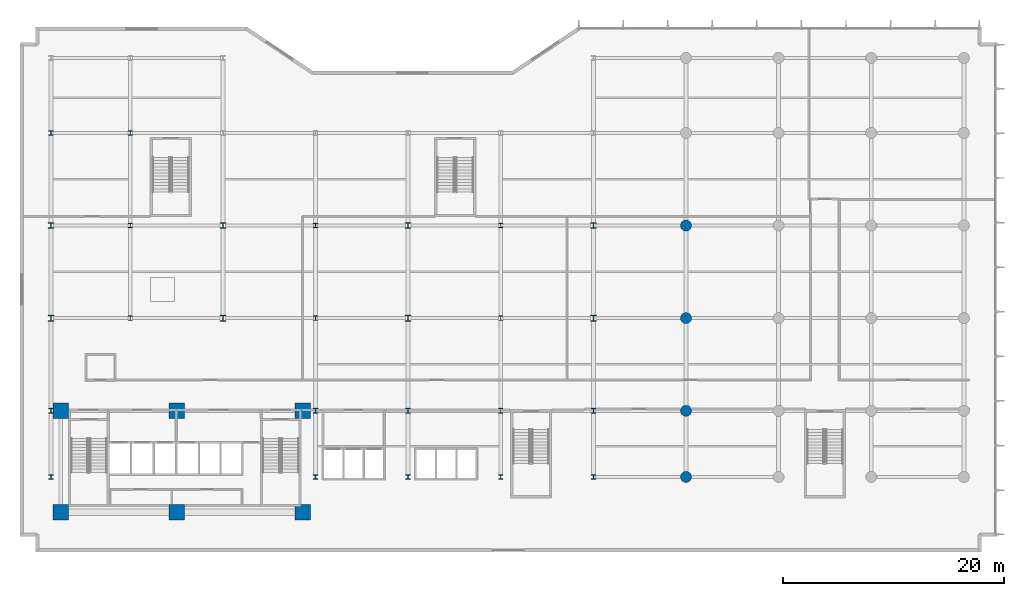
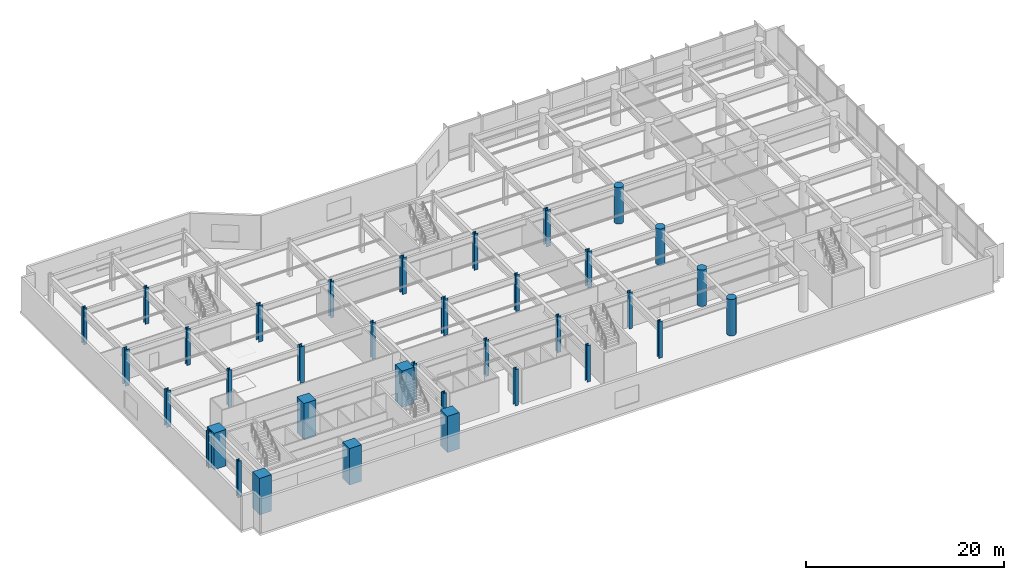
# One storey, part 1 of 26: 36 columns.
"""IFC4 building model written with IfcOpenShell, lengths in metres."""

from ifc_helpers import new_model, si_unit, direction, frame, origin, origin_2d, place, context, subcontext, project, spatial, rectangle, circle, i_section, extrude, material, material_profile, profile_set, type_object, element, save


model = new_model("IFC4")

# Units and contexts
model_context = context("Model", 3, precision=1e-05, world=origin(), true_north=direction((0.0, 1.0)))
body_context = subcontext(model_context, "Body", "Model", "MODEL_VIEW")
ifc_project = project(units=[si_unit("LENGTHUNIT", "METRE"), si_unit("AREAUNIT", "SQUARE_METRE"), si_unit("VOLUMEUNIT", "CUBIC_METRE"), si_unit("PLANEANGLEUNIT", "RADIAN"), si_unit("MASSUNIT", "GRAM", prefix="KILO")], contexts=[model_context])

# Site, building, storey
site_placement = place(None, origin())
site = spatial("IfcSite", under=ifc_project, at=site_placement, CompositionType="ELEMENT")
building_placement = place(site_placement, origin())
building = spatial("IfcBuilding", under=site, at=building_placement, Name="Varnakote Quay Hospital", CompositionType="ELEMENT")
storey_placement = place(building_placement, frame((0.0, 0.0, 13.5)))
storey = spatial("IfcBuildingStorey", under=building, at=storey_placement, Name="L03", CompositionType="ELEMENT", Elevation=13.5)

# Columns
ifc_material_1 = material(Name="Concrete N80 (f'c 80 MPa)", Category="concrete")
ifc_material_profile_1 = material_profile(ifc_material_1, rectangle(XDim=1.39990234375, YDim=1.39990234375, at=origin_2d()), Name="RC-COL-1400x1400")
ifc_profile_set_1 = profile_set([ifc_material_profile_1], Name="Concrete N80 (f'c 80 MPa)")
column_type_1 = type_object("IfcColumnType", Name="COL-RC-1400", PredefinedType="COLUMN", material=ifc_profile_set_1)
for number, where, z_axis, x_axis, name in (
    (1, (2.10009765625, 2.800048828125, 0.0), (0.0, 0.0, 1.0), (1.0, 0.0, 0.0), "L03 Structural Column C-2-3"),
    (2, (12.6201171875, 2.800048828125, 0.0), (0.0, 0.0, 1.0), (1.0, 0.0, 0.0), "L03 Structural Column C-13-3"),
    (3, (24.050048828125, 2.800048828125, 0.0), (0.0, 0.0, 1.0), (1.0, 0.0, 0.0), "L03 Structural Column C-24-3"),
    (4, (2.10009765625, 12.0, 0.0), (0.0, 0.0, 1.0), (1.0, 0.0, 0.0), "L03 Structural Column C-2-12"),
    (5, (12.6201171875, 12.0, 0.0), (0.0, 0.0, 1.0), (1.0, 0.0, 0.0), "L03 Structural Column C-13-12"),
    (6, (24.050048828125, 12.0, 0.0), (0.0, 0.0, 1.0), (1.0, 0.0, 0.0), "L03 Structural Column C-24-12"),
):
    element("IfcColumn", number, at=place(storey_placement, frame(where, z_axis=z_axis, x_axis=x_axis)), inside=storey, type_object=column_type_1, Name=name, PredefinedType="COLUMN", context=body_context, shape_type="SweptSolid", body=[
        extrude(rectangle(XDim=1.39990234375, YDim=1.39990234375, at=origin_2d()), origin(), (0.0, 0.0, 1.0), 4.5),
    ])
ifc_material_2 = material(Name="Concrete N65 (f'c 65 MPa)", Category="concrete")
ifc_material_profile_2 = material_profile(ifc_material_2, circle(Radius=0.5, at=origin_2d()), Name="RC-COL-D1000")
ifc_profile_set_2 = profile_set([ifc_material_profile_2], Name="Concrete N65 (f'c 65 MPa)")
column_type_2 = type_object("IfcColumnType", Name="COL-RC-D1000", PredefinedType="COLUMN", material=ifc_profile_set_2)
for number, where, z_axis, x_axis, name in (
    (7, (58.800048828125, 6.0, 0.0), (0.0, 0.0, 1.0), (1.0, 0.0, 0.0), "L03 Structural Column C-59-6"),
    (8, (58.800048828125, 12.0, 0.0), (0.0, 0.0, 1.0), (1.0, 0.0, 0.0), "L03 Structural Column C-59-12"),
    (9, (58.800048828125, 20.39990234375, 0.0), (0.0, 0.0, 1.0), (1.0, 0.0, 0.0), "L03 Structural Column C-59-20"),
    (10, (58.800048828125, 28.800048828125, 0.0), (0.0, 0.0, 1.0), (1.0, 0.0, 0.0), "L03 Structural Column C-59-29"),
):
    element("IfcColumn", number, at=place(storey_placement, frame(where, z_axis=z_axis, x_axis=x_axis)), inside=storey, type_object=column_type_2, Name=name, PredefinedType="COLUMN", context=body_context, shape_type="SweptSolid", body=[
        extrude(circle(Radius=0.5, at=origin_2d()), origin(), (0.0, 0.0, 1.0), 4.5),
    ])
ifc_material_3 = material(Name="Structural steel AS/NZS 3678 Grade 350 (fy 340 MPa)", Category="steel")
ifc_material_profile_3 = material_profile(ifc_material_3, i_section(OverallWidth=0.39990234375, OverallDepth=0.419921875, WebThickness=0.02490234375, FlangeThickness=0.0400390625, at=origin_2d()), Name="400WC328")
ifc_profile_set_3 = profile_set([ifc_material_profile_3], Name="Structural steel AS/NZS 3678 Grade 350 (fy 340 MPa)")
column_type_3 = type_object("IfcColumnType", Name="COL-STL-400WC328", PredefinedType="COLUMN", material=ifc_profile_set_3)
for number, where, z_axis, x_axis, name in (
    (11, (1.199951171875, 6.0, 0.0), (0.0, 0.0, 1.0), (1.0, 0.0, 0.0), "L03 Structural Column C-1-6"),
    (12, (25.199951171875, 6.0, 0.0), (0.0, 0.0, 1.0), (1.0, 0.0, 0.0), "L03 Structural Column C-25-6"),
    (13, (33.60009765625, 6.0, 0.0), (0.0, 0.0, 1.0), (1.0, 0.0, 0.0), "L03 Structural Column C-34-6"),
    (14, (42.0, 6.0, 0.0), (0.0, 0.0, 1.0), (1.0, 0.0, 0.0), "L03 Structural Column C-42-6"),
    (15, (50.39990234375, 6.0, 0.0), (0.0, 0.0, 1.0), (1.0, 0.0, 0.0), "L03 Structural Column C-50-6"),
    (16, (1.199951171875, 12.0, 0.0), (0.0, 0.0, 1.0), (1.0, 0.0, 0.0), "L03 Structural Column C-1-12"),
    (17, (25.199951171875, 12.0, 0.0), (0.0, 0.0, 1.0), (1.0, 0.0, 0.0), "L03 Structural Column C-25-12"),
    (18, (33.60009765625, 12.0, 0.0), (0.0, 0.0, 1.0), (1.0, 0.0, 0.0), "L03 Structural Column C-34-12"),
    (19, (42.0, 12.0, 0.0), (0.0, 0.0, 1.0), (1.0, 0.0, 0.0), "L03 Structural Column C-42-12"),
    (20, (50.39990234375, 12.0, 0.0), (0.0, 0.0, 1.0), (1.0, 0.0, 0.0), "L03 Structural Column C-50-12"),
    (21, (8.39990234375, 20.39990234375, 0.0), (0.0, 0.0, 1.0), (1.0, 0.0, 0.0), "L03 Structural Column C-8-20"),
    (22, (25.199951171875, 20.39990234375, 0.0), (0.0, 0.0, 1.0), (1.0, 0.0, 0.0), "L03 Structural Column C-25-20"),
    (23, (42.0, 20.39990234375, 0.0), (0.0, 0.0, 1.0), (1.0, 0.0, 0.0), "L03 Structural Column C-42-20"),
    (24, (8.39990234375, 28.800048828125, 0.0), (0.0, 0.0, 1.0), (1.0, 0.0, 0.0), "L03 Structural Column C-8-29"),
    (25, (25.199951171875, 28.800048828125, 0.0), (0.0, 0.0, 1.0), (1.0, 0.0, 0.0), "L03 Structural Column C-25-29"),
    (26, (42.0, 28.800048828125, 0.0), (0.0, 0.0, 1.0), (1.0, 0.0, 0.0), "L03 Structural Column C-42-29"),
    (27, (1.199951171875, 37.199951171875, 0.0), (0.0, 0.0, 1.0), (1.0, 0.0, 0.0), "L03 Structural Column C-1-37"),
    (28, (8.39990234375, 37.199951171875, 0.0), (0.0, 0.0, 1.0), (1.0, 0.0, 0.0), "L03 Structural Column C-8-37"),
):
    element("IfcColumn", number, at=place(storey_placement, frame(where, z_axis=z_axis, x_axis=x_axis)), inside=storey, type_object=column_type_3, Name=name, PredefinedType="COLUMN", context=body_context, shape_type="SweptSolid", body=[
        extrude(i_section(OverallWidth=0.39990234375, OverallDepth=0.419921875, WebThickness=0.02490234375, FlangeThickness=0.0400390625, at=origin_2d()), origin(), (0.0, 0.0, 1.0), 4.5),
    ])
ifc_material_4 = material(Name="Structural steel AS/NZS 3678 Grade 350 (fy 340 MPa)", Category="steel")
ifc_material_profile_4 = material_profile(ifc_material_4, i_section(OverallWidth=0.5, OverallDepth=0.530029296875, WebThickness=0.028076171875, FlangeThickness=0.044921875, at=origin_2d()), Name="500WC440")
ifc_profile_set_4 = profile_set([ifc_material_profile_4], Name="Structural steel AS/NZS 3678 Grade 350 (fy 340 MPa)")
column_type_4 = type_object("IfcColumnType", Name="COL-STL-500WC440", PredefinedType="COLUMN", material=ifc_profile_set_4)
for number, where, z_axis, x_axis, name in (
    (29, (1.199951171875, 20.39990234375, 0.0), (0.0, 0.0, 1.0), (1.0, 0.0, 0.0), "L03 Structural Column C-1-20"),
    (30, (16.800048828125, 20.39990234375, 0.0), (0.0, 0.0, 1.0), (1.0, 0.0, 0.0), "L03 Structural Column C-17-20"),
    (31, (33.60009765625, 20.39990234375, 0.0), (0.0, 0.0, 1.0), (1.0, 0.0, 0.0), "L03 Structural Column C-34-20"),
    (32, (50.39990234375, 20.39990234375, 0.0), (0.0, 0.0, 1.0), (1.0, 0.0, 0.0), "L03 Structural Column C-50-20"),
    (33, (1.199951171875, 28.800048828125, 0.0), (0.0, 0.0, 1.0), (1.0, 0.0, 0.0), "L03 Structural Column C-1-29"),
    (34, (16.800048828125, 28.800048828125, 0.0), (0.0, 0.0, 1.0), (1.0, 0.0, 0.0), "L03 Structural Column C-17-29"),
    (35, (33.60009765625, 28.800048828125, 0.0), (0.0, 0.0, 1.0), (1.0, 0.0, 0.0), "L03 Structural Column C-34-29"),
    (36, (50.39990234375, 28.800048828125, 0.0), (0.0, 0.0, 1.0), (1.0, 0.0, 0.0), "L03 Structural Column C-50-29"),
):
    element("IfcColumn", number, at=place(storey_placement, frame(where, z_axis=z_axis, x_axis=x_axis)), inside=storey, type_object=column_type_4, Name=name, PredefinedType="COLUMN", context=body_context, shape_type="SweptSolid", body=[
        extrude(i_section(OverallWidth=0.5, OverallDepth=0.530029296875, WebThickness=0.028076171875, FlangeThickness=0.044921875, at=origin_2d()), origin(), (0.0, 0.0, 1.0), 4.5),
    ])

save(model, "model.ifc")
